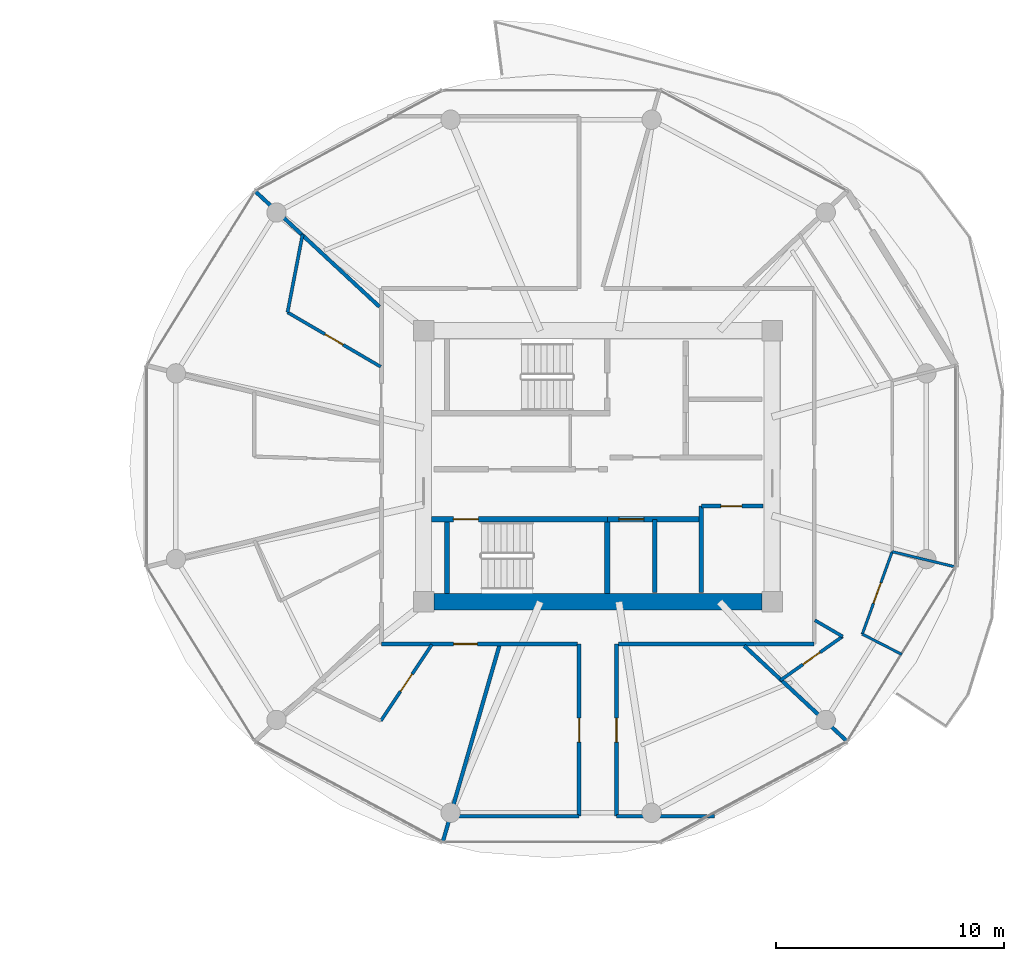
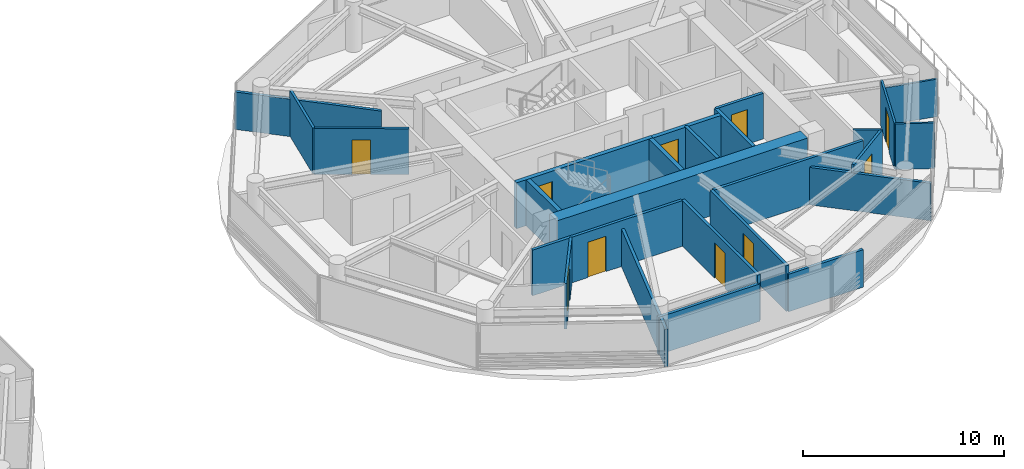
# One storey, part 16 of 24: 25 walls, 10 doors, 10 openings.
"""IFC4 building model written with IfcOpenShell, lengths in metres."""

from ifc_helpers import new_model, si_unit, direction, frame, frame_2d, origin, place, context, subcontext, project, spatial, rectangle, extrude, source, transform, mapped, material, layer, layer_set, type_object, type_shapes, element, fill, save


model = new_model("IFC4")

# Units and contexts
model_context = context("Model", 3, precision=1e-05, world=origin(), true_north=direction((0.0, 1.0)))
body_context = subcontext(model_context, "Body", "Model", "MODEL_VIEW")
ifc_project = project(units=[si_unit("LENGTHUNIT", "METRE"), si_unit("AREAUNIT", "SQUARE_METRE"), si_unit("VOLUMEUNIT", "CUBIC_METRE"), si_unit("PLANEANGLEUNIT", "RADIAN"), si_unit("MASSUNIT", "GRAM", prefix="KILO")], contexts=[model_context])

# Site, building, storey
site_placement = place(None, origin())
site = spatial("IfcSite", under=ifc_project, at=site_placement, CompositionType="ELEMENT")
building_placement = place(site_placement, origin())
building = spatial("IfcBuilding", under=site, at=building_placement, Name="Norrkilde Senior Care Towers", CompositionType="ELEMENT")
storey_placement = place(building_placement, frame((0.0, 0.0, 102.35009765625)))
storey = spatial("IfcBuildingStorey", under=building, at=storey_placement, Name="L31", CompositionType="ELEMENT", Elevation=102.35009765625)

# Walls
ifc_material_1 = material(Name="Concrete C60/75", Category="concrete")
ifc_layer_1 = layer(ifc_material_1, 0.719970703125)
ifc_layer_set_1 = layer_set([ifc_layer_1], Name="Concrete C60/75")
wall_type_1 = type_object("IfcWallType", Name="Core Shear Wall Z2 720", PredefinedType="SHEAR", material=ifc_layer_set_1)
shared_shape_1 = source(origin(), body_context, "Body", "SweptSolid", [
    extrude(rectangle(XDim=14.39990234375, YDim=0.719970703125, at=frame_2d((7.199951171875, 0.0))), origin(), (0.0, 0.0, 1.0), 2.789794921875),
])
type_shapes(wall_type_1, [shared_shape_1])
wall_1_placement = place(storey_placement, frame((35.199951171875, -5.949951171875, 0.0), z_axis=(0.0, 0.0, 1.0), x_axis=(-1.0, 0.0, 0.0)))
element("IfcWall", 1, at=wall_1_placement, inside=storey, type_object=wall_type_1, Name="L31 Core E South Shear Wall", PredefinedType="SHEAR", context=body_context, shape_type="MappedRepresentation", body=[
    mapped(shared_shape_1, transform((0.0, 0.0, 0.0), x_axis=(1.0, 0.0, 0.0), y_axis=(0.0, 1.0, 0.0), z_axis=(0.0, 0.0, 1.0), scale=1.0)),
])
ifc_material_2 = material(Name="Concrete C45/55", Category="concrete")
ifc_layer_2 = layer(ifc_material_2, 0.199951171875)
ifc_layer_set_2 = layer_set([ifc_layer_2], Name="Concrete C45/55")
wall_type_2 = type_object("IfcWallType", Name="Shaft Division and Plant Partition 200", PredefinedType="PARTITIONING", material=ifc_layer_set_2)
shared_shape_2 = source(origin(), body_context, "Body", "SweptSolid", [
    extrude(rectangle(XDim=3.800048828125, YDim=0.199951171875, at=frame_2d((1.89990234375, 0.0))), origin(), (0.0, 0.0, 1.0), 2.77490234375),
])
type_shapes(wall_type_2, [shared_shape_2])
wall_2_placement = place(storey_placement, frame((32.550048828125, -5.550048828125, 0.0), z_axis=(0.0, 0.0, 1.0), x_axis=(0.0, 1.0, 0.0)))
element("IfcWall", 2, at=wall_2_placement, inside=storey, type_object=wall_type_2, Name="WL-INT-L31-E-PKBE", PredefinedType="PARTITIONING", context=body_context, shape_type="MappedRepresentation", body=[
    mapped(shared_shape_2, transform((0.0, 0.0, 0.0), x_axis=(1.0, 0.0, 0.0), y_axis=(0.0, 1.0, 0.0), z_axis=(0.0, 0.0, 1.0), scale=1.0)),
])

# Wall, opening, door
ifc_layer_3 = layer(ifc_material_2, 0.239990234375)
ifc_layer_set_3 = layer_set([ifc_layer_3], Name="Concrete C45/55")
wall_type_3 = type_object("IfcWallType", Name="Lift and Plant Rated Enclosure Partition 240", PredefinedType="PARTITIONING", material=ifc_layer_set_3)
shared_shape_3 = source(origin(), body_context, "Body", "SweptSolid", [
    extrude(rectangle(XDim=4.130126953125, YDim=0.239990234375, at=frame_2d((2.06494140625, 0.0))), origin(), (0.0, 0.0, 1.0), 2.77490234375),
])
type_shapes(wall_type_3, [shared_shape_3])
wall_3_placement = place(storey_placement, frame((28.419921875, -2.330078125, 0.0), z_axis=(0.0, 0.0, 1.0), x_axis=(1.0, 0.0, 0.0)))
wall_3 = element("IfcWall", 3, at=wall_3_placement, inside=storey, type_object=wall_type_3, Name="WL-INT-L31-E-PKBN", PredefinedType="PARTITIONING", context=body_context, shape_type="MappedRepresentation", body=[
    mapped(shared_shape_3, transform((0.0, 0.0, 0.0), x_axis=(1.0, 0.0, 0.0), y_axis=(0.0, 1.0, 0.0), z_axis=(0.0, 0.0, 1.0), scale=1.0)),
])
opening_1_placement = place(wall_3_placement, frame((0.5, 0.0, 0.0)))
opening_1 = element("IfcOpeningElement", 4, at=opening_1_placement, cuts=wall_3, Name="Opening LD-01", PredefinedType="OPENING", context=body_context, shape_type="SweptSolid", body=[
    extrude(rectangle(XDim=1.10009765625, YDim=2.199951171875, at=frame_2d((0.550048828125, 1.10009765625))), frame((0.0, 0.1298828125, 0.0), z_axis=(0.0, -1.0, 0.0), x_axis=(1.0, 0.0, 0.0)), (0.0, 0.0, 1.0), 0.260009765625),
])
ifc_material_3 = material(Name="Stainless Steel", Category="steel")
door_type_1 = type_object("IfcDoorType", Name="Lift Landing Sliding Door 1100x2200", OperationType="NOTDEFINED", PredefinedType="DOOR", material=ifc_material_3)
shared_shape_4 = source(origin(), body_context, "Body", "SweptSolid", [
    extrude(rectangle(XDim=1.10009765625, YDim=2.199951171875, at=frame_2d((0.550048828125, 1.10009765625))), frame((0.0, 0.02490234375, 0.0), z_axis=(0.0, -1.0, 0.0), x_axis=(1.0, 0.0, 0.0)), (0.0, 0.0, 1.0), 0.050048828125),
])
type_shapes(door_type_1, [shared_shape_4])
door_1_placement = place(opening_1_placement, frame((1.10009765625, 0.0, 0.0), z_axis=(0.0, 0.0, 1.0), x_axis=(-1.0, 0.0, 0.0)))
door_1 = element("IfcDoor", 5, at=door_1_placement, inside=storey, type_object=door_type_1, Name="L31 Passenger Lift E3 Landing Door", OperationType="SLIDING_TO_LEFT", OverallHeight=2.199951171875, OverallWidth=1.10009765625, PredefinedType="DOOR", context=body_context, shape_type="MappedRepresentation", body=[
    mapped(shared_shape_4, transform((0.0, 0.0, 0.0), x_axis=(1.0, 0.0, 0.0), y_axis=(0.0, 1.0, 0.0), z_axis=(0.0, 0.0, 1.0), scale=1.0)),
])
fill(opening_1, door_1)

# Wall
ifc_layer_4 = layer(ifc_material_2, 0.179931640625)
ifc_layer_set_4 = layer_set([ifc_layer_4], Name="Concrete C45/55")
wall_type_4 = type_object("IfcWallType", Name="Hoistway Division Rated Partition 180", PredefinedType="PARTITIONING", material=ifc_layer_set_4)
shared_shape_5 = source(origin(), body_context, "Body", "SweptSolid", [
    extrude(rectangle(XDim=3.219970703125, YDim=0.179931640625, at=frame_2d((1.60986328125, 0.0))), origin(), (0.0, 0.0, 1.0), 2.77490234375),
])
type_shapes(wall_type_4, [shared_shape_5])
wall_4_placement = place(storey_placement, frame((30.5, -5.550048828125, 0.0), z_axis=(0.0, 0.0, 1.0), x_axis=(0.0, 1.0, 0.0)))
element("IfcWall", 6, at=wall_4_placement, inside=storey, type_object=wall_type_4, Name="WL-INT-L31-E-PL34", PredefinedType="PARTITIONING", context=body_context, shape_type="MappedRepresentation", body=[
    mapped(shared_shape_5, transform((0.0, 0.0, 0.0), x_axis=(1.0, 0.0, 0.0), y_axis=(0.0, 1.0, 0.0), z_axis=(0.0, 0.0, 1.0), scale=1.0)),
])

# Wall, opening, door
ifc_material_4 = material(Name="Gypsum Acoustic Board")
ifc_layer_5 = layer(ifc_material_4, 0.1650390625)
ifc_layer_set_5 = layer_set([ifc_layer_5], Name="Gypsum Acoustic Board")
wall_type_5 = type_object("IfcWallType", Name="Corridor Rated Partition 165", PredefinedType="PARTITIONING", material=ifc_layer_set_5)
shared_shape_6 = source(origin(), body_context, "Body", "SweptSolid", [
    extrude(rectangle(XDim=2.699951171875, YDim=0.1650390625, at=frame_2d((1.35009765625, 0.0))), origin(), (0.0, 0.0, 1.0), 2.77490234375),
])
wall_5_placement = place(storey_placement, frame((32.550048828125, -1.75, 0.0), z_axis=(0.0, 0.0, 1.0), x_axis=(1.0, 0.0, 0.0)))
wall_5 = element("IfcWall", 7, at=wall_5_placement, inside=storey, type_object=wall_type_5, Name="WL-INT-L31-E-CSN", PredefinedType="PARTITIONING", context=body_context, shape_type="MappedRepresentation", body=[
    mapped(shared_shape_6, transform((0.0, 0.0, 0.0), x_axis=(1.0, 0.0, 0.0), y_axis=(0.0, 1.0, 0.0), z_axis=(0.0, 0.0, 1.0), scale=1.0)),
])
opening_2_placement = place(wall_5_placement, frame((0.85009765625, 0.0, 0.0)))
opening_2 = element("IfcOpeningElement", 8, at=opening_2_placement, cuts=wall_5, Name="Opening D-12", PredefinedType="OPENING", context=body_context, shape_type="SweptSolid", body=[
    extrude(rectangle(XDim=0.925048828125, YDim=2.10009765625, at=frame_2d((0.46240234375, 1.050048828125))), frame((0.0, 0.092529296875, 0.0), z_axis=(0.0, -1.0, 0.0), x_axis=(1.0, 0.0, 0.0)), (0.0, 0.0, 1.0), 0.18505859375),
])
ifc_material_5 = material(Name="Galvanised Painted Steel", Category="steel")
door_type_2 = type_object("IfcDoorType", Name="Core Wet Room Rated Door 925x2100", OperationType="NOTDEFINED", PredefinedType="DOOR", material=ifc_material_5)
shared_shape_7 = source(origin(), body_context, "Body", "SweptSolid", [
    extrude(rectangle(XDim=0.925048828125, YDim=2.10009765625, at=frame_2d((0.46240234375, 1.050048828125))), frame((0.0, 0.02490234375, 0.0), z_axis=(0.0, -1.0, 0.0), x_axis=(1.0, 0.0, 0.0)), (0.0, 0.0, 1.0), 0.050048828125),
])
type_shapes(door_type_2, [shared_shape_7])
door_2_placement = place(opening_2_placement, origin())
door_2 = element("IfcDoor", 9, at=door_2_placement, inside=storey, type_object=door_type_2, Name="L31 Core Utility E Door", OperationType="SINGLE_SWING_LEFT", OverallHeight=2.10009765625, OverallWidth=0.925048828125, PredefinedType="DOOR", context=body_context, shape_type="MappedRepresentation", body=[
    mapped(shared_shape_7, transform((0.0, 0.0, 0.0), x_axis=(1.0, 0.0, 0.0), y_axis=(0.0, 1.0, 0.0), z_axis=(0.0, 0.0, 1.0), scale=1.0)),
])
fill(opening_2, door_2)

# Wall
shared_shape_8 = source(origin(), body_context, "Body", "SweptSolid", [
    extrude(rectangle(XDim=8.60009765625, YDim=0.1650390625, at=frame_2d((4.300048828125, 0.0))), origin(), (0.0, 0.0, 1.0), 2.77490234375),
])
wall_6_placement = place(storey_placement, frame((37.5, -7.800048828125, 0.0), z_axis=(0.0, 0.0, 1.0), x_axis=(-1.0, 0.0, 0.0)))
element("IfcWall", 10, at=wall_6_placement, inside=storey, type_object=wall_type_5, Name="WL-INT-L31-E-CRW-S-0", PredefinedType="PARTITIONING", context=body_context, shape_type="MappedRepresentation", body=[
    mapped(shared_shape_8, transform((0.0, 0.0, 0.0), x_axis=(1.0, 0.0, 0.0), y_axis=(0.0, 1.0, 0.0), z_axis=(0.0, 0.0, 1.0), scale=1.0)),
])

# Wall, opening, door
wall_7_placement = place(storey_placement, frame((27.10009765625, -7.800048828125, 0.0), z_axis=(0.0, 0.0, 1.0), x_axis=(-1.0, 0.0, 0.0)))
wall_7 = element("IfcWall", 11, at=wall_7_placement, inside=storey, type_object=wall_type_5, Name="WL-INT-L31-E-CRW-S-1", PredefinedType="PARTITIONING", context=body_context, shape_type="MappedRepresentation", body=[
    mapped(shared_shape_8, transform((0.0, 0.0, 0.0), x_axis=(1.0, 0.0, 0.0), y_axis=(0.0, 1.0, 0.0), z_axis=(0.0, 0.0, 1.0), scale=1.0)),
])
opening_3_placement = place(wall_7_placement, frame((4.384033203125, 0.0, 0.0)))
opening_3 = element("IfcOpeningElement", 12, at=opening_3_placement, cuts=wall_7, Name="Opening D-06", PredefinedType="OPENING", context=body_context, shape_type="SweptSolid", body=[
    extrude(rectangle(XDim=1.050048828125, YDim=2.14990234375, at=frame_2d((0.52490234375, 1.074951171875))), frame((0.0, 0.092529296875, 0.0), z_axis=(0.0, -1.0, 0.0), x_axis=(1.0, 0.0, 0.0)), (0.0, 0.0, 1.0), 0.18505859375),
])
ifc_material_6 = material(Name="Nordic Ash Timber", Category="wood")
door_type_3 = type_object("IfcDoorType", Name="Apartment Entrance Fire Door 1050x2150", OperationType="NOTDEFINED", PredefinedType="DOOR", material=ifc_material_6)
shared_shape_9 = source(origin(), body_context, "Body", "SweptSolid", [
    extrude(rectangle(XDim=1.050048828125, YDim=2.14990234375, at=frame_2d((0.52490234375, 1.074951171875))), frame((0.0, 0.02490234375, 0.0), z_axis=(0.0, -1.0, 0.0), x_axis=(1.0, 0.0, 0.0)), (0.0, 0.0, 1.0), 0.050048828125),
])
type_shapes(door_type_3, [shared_shape_9])
door_3_placement = place(opening_3_placement, frame((1.050048828125, 0.0, 0.0), z_axis=(0.0, 0.0, 1.0), x_axis=(-1.0, 0.0, 0.0)))
door_3 = element("IfcDoor", 13, at=door_3_placement, inside=storey, type_object=door_type_3, Name="L31 Studio 31D Entrance Door", OperationType="SINGLE_SWING_RIGHT", OverallHeight=2.14990234375, OverallWidth=1.050048828125, PredefinedType="DOOR", context=body_context, shape_type="MappedRepresentation", body=[
    mapped(shared_shape_9, transform((0.0, 0.0, 0.0), x_axis=(1.0, 0.0, 0.0), y_axis=(0.0, 1.0, 0.0), z_axis=(0.0, 0.0, 1.0), scale=1.0)),
])
fill(opening_3, door_3)

# Walls
shared_shape_10 = source(origin(), body_context, "Body", "SweptSolid", [
    extrude(rectangle(XDim=6.186767578125, YDim=0.1650390625, at=frame_2d((3.09326171875, 0.0))), origin(), (0.0, 0.0, 1.0), 2.27490234375),
])
wall_8_placement = place(storey_placement, frame((34.428955078125, -7.8798828125, 0.0), z_axis=(0.0, 0.0, 1.0), x_axis=(0.732501077882, -0.680765870841, 0.0)))
element("IfcWall", 14, at=wall_8_placement, inside=storey, type_object=wall_type_5, Name="WL-INT-L31-E-DEM-10-0", PredefinedType="PARTITIONING", context=body_context, shape_type="MappedRepresentation", body=[
    mapped(shared_shape_10, transform((0.0, 0.0, 0.0), x_axis=(1.0, 0.0, 0.0), y_axis=(0.0, 1.0, 0.0), z_axis=(0.0, 0.0, 1.0), scale=1.0)),
])
shared_shape_11 = source(origin(), body_context, "Body", "SweptSolid", [
    extrude(rectangle(XDim=8.9892578125, YDim=0.1650390625, at=frame_2d((4.49462890625, 0.0))), origin(), (0.0, 0.0, 1.0), 2.27490234375),
])
wall_9_placement = place(storey_placement, frame((23.677978515625, -7.8798828125, 0.0), z_axis=(0.0, 0.0, 1.0), x_axis=(-0.27702323008, -0.960863221274, 0.0)))
element("IfcWall", 15, at=wall_9_placement, inside=storey, type_object=wall_type_5, Name="WL-INT-L31-E-DEM-08-0", PredefinedType="PARTITIONING", context=body_context, shape_type="MappedRepresentation", body=[
    mapped(shared_shape_11, transform((0.0, 0.0, 0.0), x_axis=(1.0, 0.0, 0.0), y_axis=(0.0, 1.0, 0.0), z_axis=(0.0, 0.0, 1.0), scale=1.0)),
])
shared_shape_12 = source(origin(), body_context, "Body", "SweptSolid", [
    extrude(rectangle(XDim=7.482177734375, YDim=0.1650390625, at=frame_2d((3.7412109375, 0.0))), origin(), (0.0, 0.0, 1.0), 2.27490234375),
])
wall_10_placement = place(storey_placement, frame((18.419921875, 6.998046875, 0.0), z_axis=(0.0, 0.0, 1.0), x_axis=(-0.732508698043, 0.680757671489, 0.0)))
element("IfcWall", 16, at=wall_10_placement, inside=storey, type_object=wall_type_5, Name="WL-INT-L31-E-DEM-04-0", PredefinedType="PARTITIONING", context=body_context, shape_type="MappedRepresentation", body=[
    mapped(shared_shape_12, transform((0.0, 0.0, 0.0), x_axis=(1.0, 0.0, 0.0), y_axis=(0.0, 1.0, 0.0), z_axis=(0.0, 0.0, 1.0), scale=1.0)),
])

# Wall, opening, door
shared_shape_13 = source(origin(), body_context, "Body", "SweptSolid", [
    extrude(rectangle(XDim=7.56005859375, YDim=0.1650390625, at=frame_2d((3.780029296875, 0.0))), origin(), (0.0, 0.0, 1.0), 2.77490234375),
])
wall_11_placement = place(storey_placement, frame((27.179931640625, -15.360107421875, 0.0), z_axis=(0.0, 0.0, 1.0), x_axis=(0.0, 1.0, 0.0)))
wall_11 = element("IfcWall", 17, at=wall_11_placement, inside=storey, type_object=wall_type_5, Name="WL-INT-L31-E-PKW-SWL", PredefinedType="PARTITIONING", context=body_context, shape_type="MappedRepresentation", body=[
    mapped(shared_shape_13, transform((0.0, 0.0, 0.0), x_axis=(1.0, 0.0, 0.0), y_axis=(0.0, 1.0, 0.0), z_axis=(0.0, 0.0, 1.0), scale=1.0)),
])
opening_4_placement = place(wall_11_placement, frame((3.2548828125, 0.0, 0.0)))
opening_4 = element("IfcOpeningElement", 18, at=opening_4_placement, cuts=wall_11, Name="Opening D-06", PredefinedType="OPENING", context=body_context, shape_type="SweptSolid", body=[
    extrude(rectangle(XDim=1.050048828125, YDim=2.14990234375, at=frame_2d((0.52490234375, 1.074951171875))), frame((0.0, 0.092529296875, 0.0), z_axis=(0.0, -1.0, 0.0), x_axis=(1.0, 0.0, 0.0)), (0.0, 0.0, 1.0), 0.18505859375),
])
door_4_placement = place(opening_4_placement, frame((1.050048828125, 0.0, 0.0), z_axis=(0.0, 0.0, 1.0), x_axis=(-1.0, 0.0, 0.0)))
door_4 = element("IfcDoor", 19, at=door_4_placement, inside=storey, type_object=door_type_3, Name="L31 Reading Lounge SWL Door", OperationType="SINGLE_SWING_RIGHT", OverallHeight=2.14990234375, OverallWidth=1.050048828125, PredefinedType="DOOR", context=body_context, shape_type="MappedRepresentation", body=[
    mapped(shared_shape_9, transform((0.0, 0.0, 0.0), x_axis=(1.0, 0.0, 0.0), y_axis=(0.0, 1.0, 0.0), z_axis=(0.0, 0.0, 1.0), scale=1.0)),
])
fill(opening_4, door_4)

wall_12_placement = place(storey_placement, frame((28.820068359375, -15.360107421875, 0.0), z_axis=(0.0, 0.0, 1.0), x_axis=(0.0, 1.0, 0.0)))
wall_12 = element("IfcWall", 20, at=wall_12_placement, inside=storey, type_object=wall_type_5, Name="WL-INT-L31-E-PKW-SEL", PredefinedType="PARTITIONING", context=body_context, shape_type="MappedRepresentation", body=[
    mapped(shared_shape_13, transform((0.0, 0.0, 0.0), x_axis=(1.0, 0.0, 0.0), y_axis=(0.0, 1.0, 0.0), z_axis=(0.0, 0.0, 1.0), scale=1.0)),
])
opening_5_placement = place(wall_12_placement, frame((3.2548828125, 0.0, 0.0)))
opening_5 = element("IfcOpeningElement", 21, at=opening_5_placement, cuts=wall_12, Name="Opening D-06", PredefinedType="OPENING", context=body_context, shape_type="SweptSolid", body=[
    extrude(rectangle(XDim=1.050048828125, YDim=2.14990234375, at=frame_2d((0.52490234375, 1.074951171875))), frame((0.0, 0.092529296875, 0.0), z_axis=(0.0, -1.0, 0.0), x_axis=(1.0, 0.0, 0.0)), (0.0, 0.0, 1.0), 0.18505859375),
])
door_5_placement = place(opening_5_placement, frame((1.050048828125, 0.0, 0.0), z_axis=(0.0, 0.0, 1.0), x_axis=(-1.0, 0.0, 0.0)))
door_5 = element("IfcDoor", 22, at=door_5_placement, inside=storey, type_object=door_type_3, Name="L31 Reading Lounge SEL Door", OperationType="SINGLE_SWING_RIGHT", OverallHeight=2.14990234375, OverallWidth=1.050048828125, PredefinedType="DOOR", context=body_context, shape_type="MappedRepresentation", body=[
    mapped(shared_shape_9, transform((0.0, 0.0, 0.0), x_axis=(1.0, 0.0, 0.0), y_axis=(0.0, 1.0, 0.0), z_axis=(0.0, 0.0, 1.0), scale=1.0)),
])
fill(opening_5, door_5)

# Walls
shared_shape_14 = source(origin(), body_context, "Body", "SweptSolid", [
    extrude(rectangle(XDim=4.306884765625, YDim=0.1650390625, at=frame_2d((2.1533203125, 0.0))), origin(), (0.0, 0.0, 1.0), 2.27490234375),
])
wall_13_placement = place(storey_placement, frame((28.820068359375, -15.360107421875, 0.0), z_axis=(0.0, 0.0, 1.0), x_axis=(1.0, 0.0, 0.0)))
element("IfcWall", 23, at=wall_13_placement, inside=storey, type_object=wall_type_5, Name="WL-INT-L31-E-PKH-SEL-0", PredefinedType="PARTITIONING", context=body_context, shape_type="MappedRepresentation", body=[
    mapped(shared_shape_14, transform((0.0, 0.0, 0.0), x_axis=(1.0, 0.0, 0.0), y_axis=(0.0, 1.0, 0.0), z_axis=(0.0, 0.0, 1.0), scale=1.0)),
])
shared_shape_15 = source(origin(), body_context, "Body", "SweptSolid", [
    extrude(rectangle(XDim=5.81396484375, YDim=0.1650390625, at=frame_2d((2.906982421875, 0.0))), origin(), (0.0, 0.0, 1.0), 2.27490234375),
])
type_shapes(wall_type_5, [shared_shape_6, shared_shape_8, shared_shape_10, shared_shape_11, shared_shape_12, shared_shape_13, shared_shape_14, shared_shape_15])
wall_14_placement = place(storey_placement, frame((21.365966796875, -15.360107421875, 0.0), z_axis=(0.0, 0.0, 1.0), x_axis=(1.0, 0.0, 0.0)))
element("IfcWall", 24, at=wall_14_placement, inside=storey, type_object=wall_type_5, Name="WL-INT-L31-E-PKH-SWL-0", PredefinedType="PARTITIONING", context=body_context, shape_type="MappedRepresentation", body=[
    mapped(shared_shape_15, transform((0.0, 0.0, 0.0), x_axis=(1.0, 0.0, 0.0), y_axis=(0.0, 1.0, 0.0), z_axis=(0.0, 0.0, 1.0), scale=1.0)),
])
ifc_layer_6 = layer(ifc_material_4, 0.139892578125)
ifc_layer_set_6 = layer_set([ifc_layer_6], Name="Gypsum Acoustic Board")
wall_type_6 = type_object("IfcWallType", Name="En-suite Wet Room Wall 140", PredefinedType="PARTITIONING", material=ifc_layer_set_6)
shared_shape_16 = source(origin(), body_context, "Body", "SweptSolid", [
    extrude(rectangle(XDim=1.407470703125, YDim=0.139892578125, at=frame_2d((0.70361328125, 0.0))), origin(), (0.0, 0.0, 1.0), 2.77490234375),
])
wall_15_placement = place(storey_placement, frame((37.530029296875, -6.761962890625, 0.0), z_axis=(0.0, 0.0, 1.0), x_axis=(0.863539718977, -0.504280828258, 0.0)))
element("IfcWall", 25, at=wall_15_placement, inside=storey, type_object=wall_type_6, Name="WL-INT-L31-E-UBTS-10", PredefinedType="PARTITIONING", context=body_context, shape_type="MappedRepresentation", body=[
    mapped(shared_shape_16, transform((0.0, 0.0, 0.0), x_axis=(1.0, 0.0, 0.0), y_axis=(0.0, 1.0, 0.0), z_axis=(0.0, 0.0, 1.0), scale=1.0)),
])

# Wall, opening, door
shared_shape_17 = source(origin(), body_context, "Body", "SweptSolid", [
    extrude(rectangle(XDim=3.346923828125, YDim=0.139892578125, at=frame_2d((1.67333984375, 0.0))), origin(), (0.0, 0.0, 1.0), 2.77490234375),
])
wall_16_placement = place(storey_placement, frame((38.745361328125, -7.4716796875, 0.0), z_axis=(0.0, 0.0, 1.0), x_axis=(-0.81705680263, -0.576557179537, 0.0)))
wall_16 = element("IfcWall", 26, at=wall_16_placement, inside=storey, type_object=wall_type_6, Name="WL-INT-L31-E-UBTF-10", PredefinedType="PARTITIONING", context=body_context, shape_type="MappedRepresentation", body=[
    mapped(shared_shape_17, transform((0.0, 0.0, 0.0), x_axis=(1.0, 0.0, 0.0), y_axis=(0.0, 1.0, 0.0), z_axis=(0.0, 0.0, 1.0), scale=1.0)),
])
opening_6_placement = place(wall_16_placement, frame((1.213623046875, 0.0, 0.0)))
opening_6 = element("IfcOpeningElement", 27, at=opening_6_placement, cuts=wall_16, Name="Opening D-08", PredefinedType="OPENING", context=body_context, shape_type="SweptSolid", body=[
    extrude(rectangle(XDim=0.919921875, YDim=2.10009765625, at=frame_2d((0.4599609375, 1.050048828125))), frame((0.0, 0.079833984375, 0.0), z_axis=(0.0, -1.0, 0.0), x_axis=(1.0, 0.0, 0.0)), (0.0, 0.0, 1.0), 0.159912109375),
])
door_type_4 = type_object("IfcDoorType", Name="Accessible Wet Room Door 920x2100", OperationType="NOTDEFINED", PredefinedType="DOOR", material=ifc_material_6)
shared_shape_18 = source(origin(), body_context, "Body", "SweptSolid", [
    extrude(rectangle(XDim=0.919921875, YDim=2.10009765625, at=frame_2d((0.4599609375, 1.050048828125))), frame((0.0, 0.02490234375, 0.0), z_axis=(0.0, -1.0, 0.0), x_axis=(1.0, 0.0, 0.0)), (0.0, 0.0, 1.0), 0.050048828125),
])
type_shapes(door_type_4, [shared_shape_18])
door_6_placement = place(opening_6_placement, origin())
door_6 = element("IfcDoor", 28, at=door_6_placement, inside=storey, type_object=door_type_4, Name="Apartment 31E Bathroom Door", OperationType="SINGLE_SWING_RIGHT", OverallHeight=2.10009765625, OverallWidth=0.919921875, PredefinedType="DOOR", context=body_context, shape_type="MappedRepresentation", body=[
    mapped(shared_shape_18, transform((0.0, 0.0, 0.0), x_axis=(1.0, 0.0, 0.0), y_axis=(0.0, 1.0, 0.0), z_axis=(0.0, 0.0, 1.0), scale=1.0)),
])
fill(opening_6, door_6)

shared_shape_19 = source(origin(), body_context, "Body", "SweptSolid", [
    extrude(rectangle(XDim=4.02734375, YDim=0.139892578125, at=frame_2d((2.013671875, 0.0))), origin(), (0.0, 0.0, 1.0), 2.77490234375),
])
wall_17_placement = place(storey_placement, frame((20.714111328125, -7.830078125, 0.0), z_axis=(0.0, 0.0, 1.0), x_axis=(-0.555832825922, -0.831294093343, 0.0)))
wall_17 = element("IfcWall", 29, at=wall_17_placement, inside=storey, type_object=wall_type_6, Name="WL-INT-L31-E-ES-07", PredefinedType="PARTITIONING", context=body_context, shape_type="MappedRepresentation", body=[
    mapped(shared_shape_19, transform((0.0, 0.0, 0.0), x_axis=(1.0, 0.0, 0.0), y_axis=(0.0, 1.0, 0.0), z_axis=(0.0, 0.0, 1.0), scale=1.0)),
])
opening_7_placement = place(wall_17_placement, frame((1.5537109375, 0.0, 0.0)))
opening_7 = element("IfcOpeningElement", 30, at=opening_7_placement, cuts=wall_17, Name="Opening D-08", PredefinedType="OPENING", context=body_context, shape_type="SweptSolid", body=[
    extrude(rectangle(XDim=0.919921875, YDim=2.10009765625, at=frame_2d((0.4599609375, 1.050048828125))), frame((0.0, 0.079833984375, 0.0), z_axis=(0.0, -1.0, 0.0), x_axis=(1.0, 0.0, 0.0)), (0.0, 0.0, 1.0), 0.159912109375),
])
door_7_placement = place(opening_7_placement, origin())
door_7 = element("IfcDoor", 31, at=door_7_placement, inside=storey, type_object=door_type_4, Name="L31 Studio 31D Bathroom Door", OperationType="SINGLE_SWING_LEFT", OverallHeight=2.10009765625, OverallWidth=0.919921875, PredefinedType="DOOR", context=body_context, shape_type="MappedRepresentation", body=[
    mapped(shared_shape_18, transform((0.0, 0.0, 0.0), x_axis=(1.0, 0.0, 0.0), y_axis=(0.0, 1.0, 0.0), z_axis=(0.0, 0.0, 1.0), scale=1.0)),
])
fill(opening_7, door_7)

ifc_layer_7 = layer(ifc_material_2, 0.239990234375)
ifc_layer_set_7 = layer_set([ifc_layer_7], Name="Concrete C45/55")
wall_type_7 = type_object("IfcWallType", Name="Shaft and Stair Enclosure Wall 240", PredefinedType="PARTITIONING", material=ifc_layer_set_7)
shared_shape_20 = source(origin(), body_context, "Body", "SweptSolid", [
    extrude(rectangle(XDim=7.830078125, YDim=0.239990234375, at=frame_2d((3.9150390625, 0.0))), origin(), (0.0, 0.0, 1.0), 2.789794921875),
])
wall_18_placement = place(storey_placement, frame((20.7099609375, -2.330078125, 0.0), z_axis=(0.0, 0.0, 1.0), x_axis=(1.0, 0.0, 0.0)))
wall_18 = element("IfcWall", 32, at=wall_18_placement, inside=storey, type_object=wall_type_7, Name="WL-INT-L31-E-ST2N", PredefinedType="PARTITIONING", context=body_context, shape_type="MappedRepresentation", body=[
    mapped(shared_shape_20, transform((0.0, 0.0, 0.0), x_axis=(1.0, 0.0, 0.0), y_axis=(0.0, 1.0, 0.0), z_axis=(0.0, 0.0, 1.0), scale=1.0)),
])
opening_8_placement = place(wall_18_placement, frame((0.949951171875, 0.0, 0.0)))
opening_8 = element("IfcOpeningElement", 33, at=opening_8_placement, cuts=wall_18, Name="Opening D-03", PredefinedType="OPENING", context=body_context, shape_type="SweptSolid", body=[
    extrude(rectangle(XDim=1.10009765625, YDim=2.14990234375, at=frame_2d((0.550048828125, 1.074951171875))), frame((0.0, 0.1298828125, 0.0), z_axis=(0.0, -1.0, 0.0), x_axis=(1.0, 0.0, 0.0)), (0.0, 0.0, 1.0), 0.260009765625),
])
door_type_5 = type_object("IfcDoorType", Name="Stairwell Protected Fire Door 1100x2150", OperationType="NOTDEFINED", PredefinedType="DOOR", material=ifc_material_5)
shared_shape_21 = source(origin(), body_context, "Body", "SweptSolid", [
    extrude(rectangle(XDim=1.10009765625, YDim=2.14990234375, at=frame_2d((0.550048828125, 1.074951171875))), frame((0.0, 0.02490234375, 0.0), z_axis=(0.0, -1.0, 0.0), x_axis=(1.0, 0.0, 0.0)), (0.0, 0.0, 1.0), 0.050048828125),
])
type_shapes(door_type_5, [shared_shape_21])
door_8_placement = place(opening_8_placement, frame((1.10009765625, 0.0, 0.0), z_axis=(0.0, 0.0, 1.0), x_axis=(-1.0, 0.0, 0.0)))
door_8 = element("IfcDoor", 34, at=door_8_placement, inside=storey, type_object=door_type_5, Name="L31 Stair E2 Fire Door", OperationType="SINGLE_SWING_RIGHT", OverallHeight=2.14990234375, OverallWidth=1.10009765625, PredefinedType="DOOR", context=body_context, shape_type="MappedRepresentation", body=[
    mapped(shared_shape_21, transform((0.0, 0.0, 0.0), x_axis=(1.0, 0.0, 0.0), y_axis=(0.0, 1.0, 0.0), z_axis=(0.0, 0.0, 1.0), scale=1.0)),
])
fill(opening_8, door_8)

# Walls
shared_shape_22 = source(origin(), body_context, "Body", "SweptSolid", [
    extrude(rectangle(XDim=3.14013671875, YDim=0.239990234375, at=frame_2d((1.570068359375, 0.0))), origin(), (0.0, 0.0, 1.0), 2.789794921875),
])
type_shapes(wall_type_7, [shared_shape_20, shared_shape_22])
for number, where, z_axis, x_axis, name in (
    (35, (21.3798828125, -5.590087890625, 0.0), (0.0, 0.0, 1.0), (0.0, 1.0, 0.0), "WL-INT-L31-E-ST2W"),
    (36, (28.419921875, -5.590087890625, 0.0), (0.0, 0.0, 1.0), (0.0, 1.0, 0.0), "WL-INT-L31-E-ST2E"),
):
    element("IfcWall", number, at=place(storey_placement, frame(where, z_axis=z_axis, x_axis=x_axis)), inside=storey, type_object=wall_type_7, Name=name, PredefinedType="PARTITIONING", context=body_context, shape_type="MappedRepresentation", body=[
        mapped(shared_shape_22, transform((0.0, 0.0, 0.0), x_axis=(1.0, 0.0, 0.0), y_axis=(0.0, 1.0, 0.0), z_axis=(0.0, 0.0, 1.0), scale=1.0)),
    ])
ifc_layer_8 = layer(ifc_material_4, 0.114990234375)
ifc_layer_set_8 = layer_set([ifc_layer_8], Name="Gypsum Acoustic Board")
wall_type_8 = type_object("IfcWallType", Name="Internal Room Partition 115", PredefinedType="PARTITIONING", material=ifc_layer_set_8)
shared_shape_23 = source(origin(), body_context, "Body", "SweptSolid", [
    extrude(rectangle(XDim=1.9453125, YDim=0.114990234375, at=frame_2d((0.97265625, 0.0))), origin(), (0.0, 0.0, 1.0), 2.77490234375),
])
wall_19_placement = place(storey_placement, frame((39.611083984375, -7.370361328125, 0.0), z_axis=(0.0, 0.0, 1.0), x_axis=(0.889684148329, -0.456576517368, 0.0)))
element("IfcWall", 37, at=wall_19_placement, inside=storey, type_object=wall_type_8, Name="WL-INT-L31-E-UKTS-10", PredefinedType="PARTITIONING", context=body_context, shape_type="MappedRepresentation", body=[
    mapped(shared_shape_23, transform((0.0, 0.0, 0.0), x_axis=(1.0, 0.0, 0.0), y_axis=(0.0, 1.0, 0.0), z_axis=(0.0, 0.0, 1.0), scale=1.0)),
])

# Wall, opening, door
shared_shape_24 = source(origin(), body_context, "Body", "SweptSolid", [
    extrude(rectangle(XDim=4.7353515625, YDim=0.139892578125, at=frame_2d((2.36767578125, 0.0))), origin(), (0.0, 0.0, 1.0), 2.77490234375),
])
wall_20_placement = place(storey_placement, frame((18.469970703125, 4.36767578125, 0.0), z_axis=(0.0, 0.0, 1.0), x_axis=(-0.863537576642, 0.504284496814, 0.0)))
wall_20 = element("IfcWall", 38, at=wall_20_placement, inside=storey, type_object=wall_type_6, Name="WL-INT-L31-E-ES-04", PredefinedType="PARTITIONING", context=body_context, shape_type="MappedRepresentation", body=[
    mapped(shared_shape_24, transform((0.0, 0.0, 0.0), x_axis=(1.0, 0.0, 0.0), y_axis=(0.0, 1.0, 0.0), z_axis=(0.0, 0.0, 1.0), scale=1.0)),
])
opening_9_placement = place(wall_20_placement, frame((1.90771484375, 0.0, 0.0)))
opening_9 = element("IfcOpeningElement", 39, at=opening_9_placement, cuts=wall_20, Name="Opening D-08", PredefinedType="OPENING", context=body_context, shape_type="SweptSolid", body=[
    extrude(rectangle(XDim=0.919921875, YDim=2.10009765625, at=frame_2d((0.4599609375, 1.050048828125))), frame((0.0, 0.079833984375, 0.0), z_axis=(0.0, -1.0, 0.0), x_axis=(1.0, 0.0, 0.0)), (0.0, 0.0, 1.0), 0.159912109375),
])
door_9_placement = place(opening_9_placement, origin())
door_9 = element("IfcDoor", 40, at=door_9_placement, inside=storey, type_object=door_type_4, Name="L31 Studio 31A Bathroom Door", OperationType="SINGLE_SWING_RIGHT", OverallHeight=2.10009765625, OverallWidth=0.919921875, PredefinedType="DOOR", context=body_context, shape_type="MappedRepresentation", body=[
    mapped(shared_shape_18, transform((0.0, 0.0, 0.0), x_axis=(1.0, 0.0, 0.0), y_axis=(0.0, 1.0, 0.0), z_axis=(0.0, 0.0, 1.0), scale=1.0)),
])
fill(opening_9, door_9)

# Walls
shared_shape_25 = source(origin(), body_context, "Body", "SweptSolid", [
    extrude(rectangle(XDim=3.4990234375, YDim=0.139892578125, at=frame_2d((1.74951171875, 0.0))), origin(), (0.0, 0.0, 1.0), 2.77490234375),
])
type_shapes(wall_type_6, [shared_shape_16, shared_shape_17, shared_shape_19, shared_shape_24, shared_shape_25])
wall_21_placement = place(storey_placement, frame((14.380859375, 6.755615234375, 0.0), z_axis=(0.0, 0.0, 1.0), x_axis=(0.18957713629, 0.981865830649, 0.0)))
element("IfcWall", 41, at=wall_21_placement, inside=storey, type_object=wall_type_6, Name="WL-INT-L31-E-EF-04", PredefinedType="PARTITIONING", context=body_context, shape_type="MappedRepresentation", body=[
    mapped(shared_shape_25, transform((0.0, 0.0, 0.0), x_axis=(1.0, 0.0, 0.0), y_axis=(0.0, 1.0, 0.0), z_axis=(0.0, 0.0, 1.0), scale=1.0)),
])
shared_shape_26 = source(origin(), body_context, "Body", "SweptSolid", [
    extrude(rectangle(XDim=2.87890625, YDim=0.114990234375, at=frame_2d((1.439453125, 0.0))), origin(), (0.0, 0.0, 1.0), 2.27490234375),
])
wall_22_placement = place(storey_placement, frame((40.9248046875, -3.74951171875, 0.0), z_axis=(0.0, 0.0, 1.0), x_axis=(0.972018140943, -0.234905797454, 0.0)))
element("IfcWall", 42, at=wall_22_placement, inside=storey, type_object=wall_type_8, Name="WL-INT-L31-E-UBR-10-1", PredefinedType="PARTITIONING", context=body_context, shape_type="MappedRepresentation", body=[
    mapped(shared_shape_26, transform((0.0, 0.0, 0.0), x_axis=(1.0, 0.0, 0.0), y_axis=(0.0, 1.0, 0.0), z_axis=(0.0, 0.0, 1.0), scale=1.0)),
])

# Wall, opening, door
shared_shape_27 = source(origin(), body_context, "Body", "SweptSolid", [
    extrude(rectangle(XDim=3.8515625, YDim=0.114990234375, at=frame_2d((1.92578125, 0.0))), origin(), (0.0, 0.0, 1.0), 2.77490234375),
])
type_shapes(wall_type_8, [shared_shape_23, shared_shape_26, shared_shape_27])
wall_23_placement = place(storey_placement, frame((39.611083984375, -7.370361328125, 0.0), z_axis=(0.0, 0.0, 1.0), x_axis=(0.340653649518, 0.940188859257, 0.0)))
wall_23 = element("IfcWall", 43, at=wall_23_placement, inside=storey, type_object=wall_type_8, Name="WL-INT-L31-E-UKTF-10", PredefinedType="PARTITIONING", context=body_context, shape_type="MappedRepresentation", body=[
    mapped(shared_shape_27, transform((0.0, 0.0, 0.0), x_axis=(1.0, 0.0, 0.0), y_axis=(0.0, 1.0, 0.0), z_axis=(0.0, 0.0, 1.0), scale=1.0)),
])
opening_10_placement = place(wall_23_placement, frame((1.45068359375, 0.0, 0.0)))
opening_10 = element("IfcOpeningElement", 44, at=opening_10_placement, cuts=wall_23, Name="Opening D-07", PredefinedType="OPENING", context=body_context, shape_type="SweptSolid", body=[
    extrude(rectangle(XDim=0.949951171875, YDim=2.10009765625, at=frame_2d((0.47509765625, 1.050048828125))), frame((0.0, 0.0673828125, 0.0), z_axis=(0.0, -1.0, 0.0), x_axis=(1.0, 0.0, 0.0)), (0.0, 0.0, 1.0), 0.135009765625),
])
door_type_6 = type_object("IfcDoorType", Name="Internal Suite Bedroom Door 950x2100", OperationType="NOTDEFINED", PredefinedType="DOOR", material=ifc_material_6)
shared_shape_28 = source(origin(), body_context, "Body", "SweptSolid", [
    extrude(rectangle(XDim=0.949951171875, YDim=2.10009765625, at=frame_2d((0.47509765625, 1.050048828125))), frame((0.0, 0.02490234375, 0.0), z_axis=(0.0, -1.0, 0.0), x_axis=(1.0, 0.0, 0.0)), (0.0, 0.0, 1.0), 0.050048828125),
])
type_shapes(door_type_6, [shared_shape_28])
door_10_placement = place(opening_10_placement, frame((0.949951171875, 0.0, 0.0), z_axis=(0.0, 0.0, 1.0), x_axis=(-1.0, 0.0, 0.0)))
door_10 = element("IfcDoor", 45, at=door_10_placement, inside=storey, type_object=door_type_6, Name="Apartment 31E Kitchen Door", OperationType="SINGLE_SWING_LEFT", OverallHeight=2.10009765625, OverallWidth=0.949951171875, PredefinedType="DOOR", context=body_context, shape_type="MappedRepresentation", body=[
    mapped(shared_shape_28, transform((0.0, 0.0, 0.0), x_axis=(1.0, 0.0, 0.0), y_axis=(0.0, 1.0, 0.0), z_axis=(0.0, 0.0, 1.0), scale=1.0)),
])
fill(opening_10, door_10)

save(model, "model.ifc")
